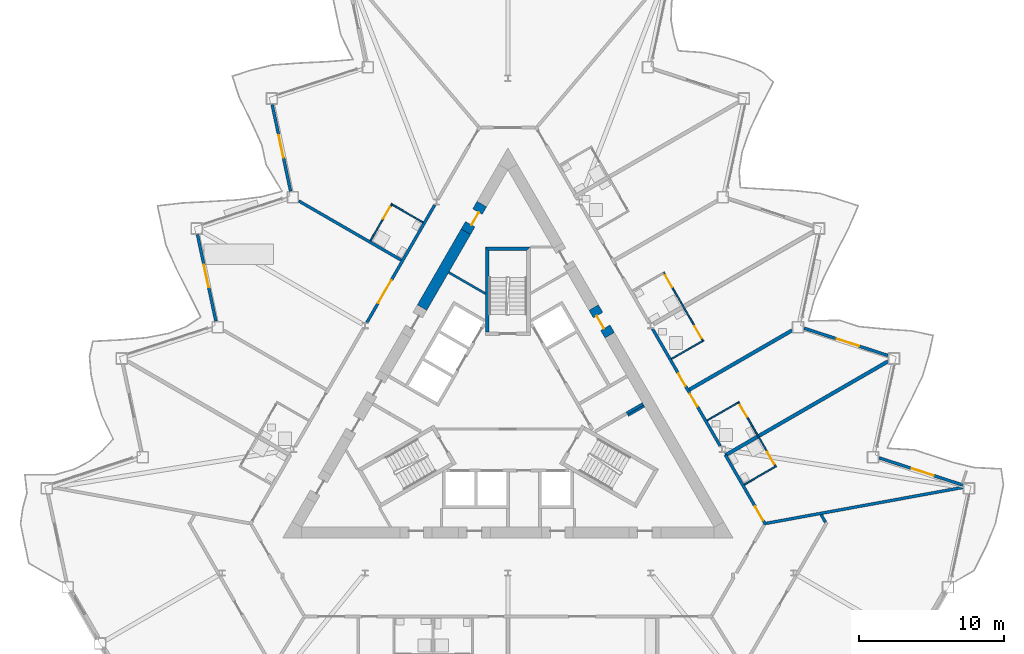
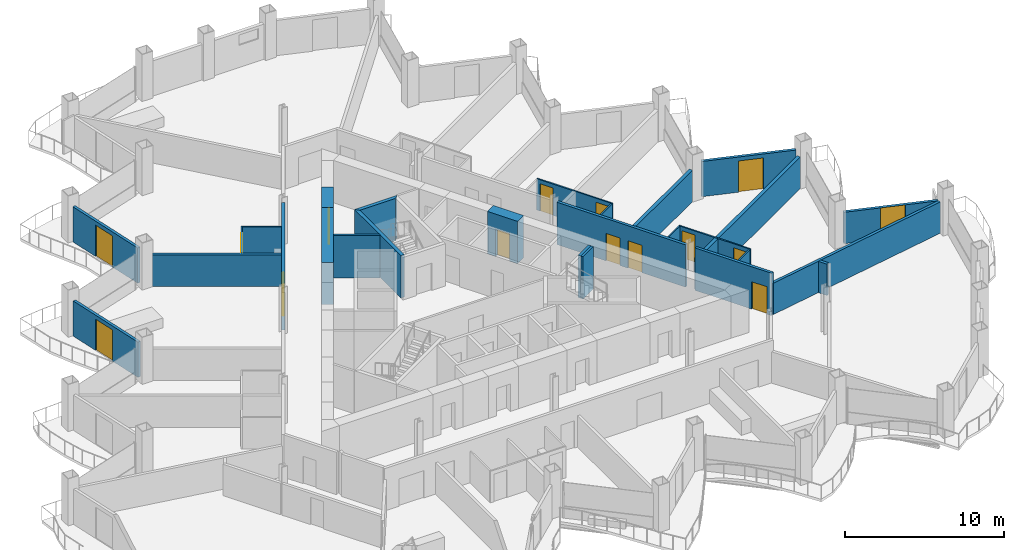
# One storey, part 14 of 24: 27 walls, 15 doors, 15 openings.
"""IFC4 building model written with IfcOpenShell, lengths in metres."""

from ifc_helpers import new_model, si_unit, direction, frame, frame_2d, origin, place, context, subcontext, project, spatial, polyline, rectangle, outline, extrude, material, layer, layer_set, type_object, element, fill, save


model = new_model("IFC4")

# Units and contexts
model_context = context("Model", 3, precision=1e-05, world=origin(), true_north=direction((0.0, 1.0)))
body_context = subcontext(model_context, "Body", "Model", "MODEL_VIEW")
ifc_project = project(units=[si_unit("LENGTHUNIT", "METRE"), si_unit("AREAUNIT", "SQUARE_METRE"), si_unit("VOLUMEUNIT", "CUBIC_METRE"), si_unit("PLANEANGLEUNIT", "RADIAN"), si_unit("MASSUNIT", "GRAM", prefix="KILO")], contexts=[model_context])

# Site, building, storey
site_placement = place(None, origin())
site = spatial("IfcSite", under=ifc_project, at=site_placement, CompositionType="ELEMENT")
building_placement = place(site_placement, origin())
building = spatial("IfcBuilding", under=site, at=building_placement, Name="Cormorant Prow Tower", CompositionType="ELEMENT")
storey_placement = place(building_placement, frame((0.0, 0.0, 201.60009765625)))
storey = spatial("IfcBuildingStorey", under=building, at=storey_placement, Name="L44", CompositionType="ELEMENT", Elevation=201.60009765625)

# Walls
ifc_material_1 = material(Name="Gypsum board partition")
ifc_layer_1 = layer(ifc_material_1, 0.14990234375)
ifc_layer_set_1 = layer_set([ifc_layer_1], Name="Gypsum board partition")
wall_type_1 = type_object("IfcWallType", Name="Core partition 150", PredefinedType="PARTITIONING", material=ifc_layer_set_1)
wall_1_placement = place(storey_placement, frame((8.268310546875, -0.509033203125, 0.0), z_axis=(0.0, 0.0, 1.0), x_axis=(0.866003189247, 0.500038474733, 0.0)))
element("IfcWall", 1, at=wall_1_placement, inside=storey, type_object=wall_type_1, Name="Service room partition", PredefinedType="PARTITIONING", context=body_context, shape_type="SweptSolid", body=[
    extrude(rectangle(XDim=1.29296875, YDim=0.14990234375, at=frame_2d((0.646484375, 0.0))), origin(), (0.0, 0.0, 1.0), 3.25),
])
wall_2_placement = place(storey_placement, frame((-4.0751953125, 9.33935546875, 0.0), z_axis=(0.0, 0.0, 1.0), x_axis=(0.865995658863, -0.500051516177, 0.0)))
element("IfcWall", 2, at=wall_2_placement, inside=storey, type_object=wall_type_1, Name="Service room partition", PredefinedType="PARTITIONING", context=body_context, shape_type="SweptSolid", body=[
    extrude(rectangle(XDim=2.932861328125, YDim=0.14990234375, at=frame_2d((1.46630859375, 0.0))), origin(), (0.0, 0.0, 1.0), 3.25),
])
ifc_material_2 = material(Name="Concrete 8000 psi", Category="concrete")
ifc_layer_2 = layer(ifc_material_2, 0.75)
ifc_layer_set_2 = layer_set([ifc_layer_2], Name="Concrete 8000 psi")
wall_type_2 = type_object("IfcWallType", Name="Core shear wall 750", PredefinedType="SHEAR", material=ifc_layer_set_2)
wall_3_placement = place(storey_placement, frame((-2.8935546875, 12.135986328125, 0.0), z_axis=(0.0, 0.0, 1.0), x_axis=(-0.500021737671, -0.866012853171, 0.0)))
element("IfcWall", 3, at=wall_3_placement, inside=storey, type_object=wall_type_2, Name="Core wall", PredefinedType="SHEAR", context=body_context, shape_type="SweptSolid", body=[
    extrude(rectangle(XDim=6.025634765625, YDim=0.75, at=frame_2d((3.0126953125, 0.0))), origin(), (0.0, 0.0, 1.0), 3.25),
])

# Wall, opening, door
wall_4_placement = place(storey_placement, frame((7.00634765625, 5.012451171875, 0.0), z_axis=(0.0, 0.0, 1.0), x_axis=(-0.499946605688, 0.86605622881, 0.0)))
wall_4 = element("IfcWall", 4, at=wall_4_placement, inside=storey, type_object=wall_type_2, Name="Core wall door panel", PredefinedType="SHEAR", context=body_context, shape_type="SweptSolid", body=[
    extrude(rectangle(XDim=2.199951171875, YDim=0.75, at=frame_2d((1.10009765625, 0.0))), origin(), (0.0, 0.0, 1.0), 3.25),
])
opening_1_placement = place(wall_4_placement, frame((0.60009765625, 0.0, 0.0)))
opening_1 = element("IfcOpeningElement", 5, at=opening_1_placement, cuts=wall_4, Name="Opening L44-C19", PredefinedType="OPENING", context=body_context, shape_type="SweptSolid", body=[
    extrude(rectangle(XDim=1.0, YDim=2.10009765625, at=frame_2d((0.5, 1.050048828125))), frame((0.0, 0.385009765625, 0.0), z_axis=(0.0, -1.0, 0.0), x_axis=(1.0, 0.0, 0.0)), (0.0, 0.0, 1.0), 0.77001953125),
])
ifc_material_3 = material(Name="Painted steel", Category="steel")
door_type_1 = type_object("IfcDoorType", Name="Service door 1000x2100", OperationType="NOTDEFINED", PredefinedType="DOOR", material=ifc_material_3)
door_1_placement = place(opening_1_placement, origin())
door_1 = element("IfcDoor", 6, at=door_1_placement, inside=storey, type_object=door_type_1, Name="Core door, Telecom room", OperationType="SINGLE_SWING_RIGHT", OverallHeight=2.10009765625, OverallWidth=1.0, PredefinedType="DOOR", context=body_context, shape_type="SweptSolid", body=[
    extrude(rectangle(XDim=1.0, YDim=2.10009765625, at=frame_2d((0.5, 1.050048828125))), frame((0.0, 0.1298828125, 0.0), z_axis=(0.0, -1.0, 0.0), x_axis=(1.0, 0.0, 0.0)), (0.0, 0.0, 1.0), 0.050048828125),
])
fill(opening_1, door_1)

wall_5_placement = place(storey_placement, frame((-1.793701171875, 14.041259765625, 0.0), z_axis=(0.0, 0.0, 1.0), x_axis=(-0.499946605688, -0.86605622881, 0.0)))
wall_5 = element("IfcWall", 7, at=wall_5_placement, inside=storey, type_object=wall_type_2, Name="Core wall door panel", PredefinedType="SHEAR", context=body_context, shape_type="SweptSolid", body=[
    extrude(rectangle(XDim=2.199951171875, YDim=0.75, at=frame_2d((1.10009765625, 0.0))), origin(), (0.0, 0.0, 1.0), 3.25),
])
opening_2_placement = place(wall_5_placement, frame((0.60009765625, 0.0, 0.0)))
opening_2 = element("IfcOpeningElement", 8, at=opening_2_placement, cuts=wall_5, Name="Opening L44-C20", PredefinedType="OPENING", context=body_context, shape_type="SweptSolid", body=[
    extrude(rectangle(XDim=1.0, YDim=2.10009765625, at=frame_2d((0.5, 1.050048828125))), frame((0.0, 0.385009765625, 0.0), z_axis=(0.0, -1.0, 0.0), x_axis=(1.0, 0.0, 0.0)), (0.0, 0.0, 1.0), 0.77001953125),
])
door_2_placement = place(opening_2_placement, origin())
door_2 = element("IfcDoor", 9, at=door_2_placement, inside=storey, type_object=door_type_1, Name="Core door, Mechanical riser room", OperationType="SINGLE_SWING_LEFT", OverallHeight=2.10009765625, OverallWidth=1.0, PredefinedType="DOOR", context=body_context, shape_type="SweptSolid", body=[
    extrude(rectangle(XDim=1.0, YDim=2.10009765625, at=frame_2d((0.5, 1.050048828125))), frame((0.0, 0.1298828125, 0.0), z_axis=(0.0, -1.0, 0.0), x_axis=(1.0, 0.0, 0.0)), (0.0, 0.0, 1.0), 0.050048828125),
])
fill(opening_2, door_2)

ifc_material_4 = material(Name="Gypsum board corridor wall")
ifc_layer_3 = layer(ifc_material_4, 0.199951171875)
ifc_layer_set_3 = layer_set([ifc_layer_3], Name="Gypsum board corridor wall")
wall_type_3 = type_object("IfcWallType", Name="Corridor wall 200", PredefinedType="PARTITIONING", material=ifc_layer_set_3)
wall_6_placement = place(storey_placement, frame((-9.705078125, 5.88818359375, 0.0), z_axis=(0.0, 0.0, 1.0), x_axis=(0.50000393355, 0.866023132736, 0.0)))
wall_6 = element("IfcWall", 10, at=wall_6_placement, inside=storey, type_object=wall_type_3, Name="Corridor wall", PredefinedType="PARTITIONING", context=body_context, shape_type="SweptSolid", body=[
    extrude(rectangle(XDim=9.3349609375, YDim=0.199951171875, at=frame_2d((4.66748046875, 0.0))), origin(), (0.0, 0.0, 1.0), 3.25),
])
opening_3_placement = place(wall_6_placement, frame((1.556396484375, 0.0, 0.0)))
opening_3 = element("IfcOpeningElement", 11, at=opening_3_placement, cuts=wall_6, Name="Opening L44-F25", PredefinedType="OPENING", context=body_context, shape_type="SweptSolid", body=[
    extrude(rectangle(XDim=1.800048828125, YDim=2.10009765625, at=frame_2d((0.89990234375, 1.050048828125))), frame((0.0, 0.10986328125, 0.0), z_axis=(0.0, -1.0, 0.0), x_axis=(1.0, 0.0, 0.0)), (0.0, 0.0, 1.0), 0.219970703125),
])
ifc_material_5 = material(Name="Timber door leaf", Category="wood")
door_type_2 = type_object("IfcDoorType", Name="Double door 1800x2100", OperationType="DOUBLE_DOOR_SINGLE_SWING", PredefinedType="DOOR", material=ifc_material_5)
door_3_placement = place(opening_3_placement, origin())
door_3 = element("IfcDoor", 12, at=door_3_placement, inside=storey, type_object=door_type_2, Name="Library door", OperationType="DOUBLE_DOOR_SINGLE_SWING", OverallHeight=2.10009765625, OverallWidth=1.800048828125, PredefinedType="DOOR", context=body_context, shape_type="SweptSolid", body=[
    extrude(rectangle(XDim=1.800048828125, YDim=2.10009765625, at=frame_2d((0.89990234375, 1.050048828125))), frame((0.0, 0.02490234375, 0.0), z_axis=(0.0, -1.0, 0.0), x_axis=(1.0, 0.0, 0.0)), (0.0, 0.0, 1.0), 0.050048828125),
])
fill(opening_3, door_3)

# Wall, openings, doors
wall_7_placement = place(storey_placement, frame((9.951904296875, 5.460693359375, 0.0), z_axis=(0.0, 0.0, 1.0), x_axis=(0.50000393355, -0.866023132736, 0.0)))
wall_7 = element("IfcWall", 13, at=wall_7_placement, inside=storey, type_object=wall_type_3, Name="Corridor wall", PredefinedType="PARTITIONING", context=body_context, shape_type="SweptSolid", body=[
    extrude(rectangle(XDim=9.3349609375, YDim=0.199951171875, at=frame_2d((4.66748046875, 0.0))), origin(), (0.0, 0.0, 1.0), 3.25),
])
opening_4_placement = place(wall_7_placement, frame((5.171875, 0.0, 0.0)))
opening_4 = element("IfcOpeningElement", 14, at=opening_4_placement, cuts=wall_7, Name="Opening L44-F12", PredefinedType="OPENING", context=body_context, shape_type="SweptSolid", body=[
    extrude(rectangle(XDim=1.0, YDim=2.10009765625, at=frame_2d((0.5, 1.050048828125))), frame((0.0, 0.10986328125, 0.0), z_axis=(0.0, -1.0, 0.0), x_axis=(1.0, 0.0, 0.0)), (0.0, 0.0, 1.0), 0.219970703125),
])
opening_5_placement = place(wall_7_placement, frame((3.564697265625, 0.0, 0.0)))
opening_5 = element("IfcOpeningElement", 15, at=opening_5_placement, cuts=wall_7, Name="Opening L44-F14", PredefinedType="OPENING", context=body_context, shape_type="SweptSolid", body=[
    extrude(rectangle(XDim=1.0, YDim=2.10009765625, at=frame_2d((0.5, 1.050048828125))), frame((0.0, 0.10986328125, 0.0), z_axis=(0.0, -1.0, 0.0), x_axis=(1.0, 0.0, 0.0)), (0.0, 0.0, 1.0), 0.219970703125),
])
ifc_material_6 = material(Name="Timber door leaf", Category="wood")
door_type_3 = type_object("IfcDoorType", Name="Flat or room entrance door 1000x2100", OperationType="NOTDEFINED", PredefinedType="DOOR", material=ifc_material_6)
door_4_placement = place(opening_4_placement, origin())
door_4 = element("IfcDoor", 16, at=door_4_placement, inside=storey, type_object=door_type_3, Name="Guest room door", OperationType="SINGLE_SWING_LEFT", OverallHeight=2.10009765625, OverallWidth=1.0, PredefinedType="DOOR", context=body_context, shape_type="SweptSolid", body=[
    extrude(rectangle(XDim=1.0, YDim=2.10009765625, at=frame_2d((0.5, 1.050048828125))), frame((0.0, 0.02490234375, 0.0), z_axis=(0.0, -1.0, 0.0), x_axis=(1.0, 0.0, 0.0)), (0.0, 0.0, 1.0), 0.050048828125),
])
fill(opening_4, door_4)
door_5_placement = place(opening_5_placement, origin())
door_5 = element("IfcDoor", 17, at=door_5_placement, inside=storey, type_object=door_type_3, Name="Guest room door", OperationType="SINGLE_SWING_RIGHT", OverallHeight=2.10009765625, OverallWidth=1.0, PredefinedType="DOOR", context=body_context, shape_type="SweptSolid", body=[
    extrude(rectangle(XDim=1.0, YDim=2.10009765625, at=frame_2d((0.5, 1.050048828125))), frame((0.0, 0.02490234375, 0.0), z_axis=(0.0, -1.0, 0.0), x_axis=(1.0, 0.0, 0.0)), (0.0, 0.0, 1.0), 0.050048828125),
])
fill(opening_5, door_5)

# Wall, opening, door
wall_8_placement = place(storey_placement, frame((14.971435546875, -3.2333984375, 0.0), z_axis=(0.0, 0.0, 1.0), x_axis=(0.500003221507, -0.866023543838, 0.0)))
wall_8 = element("IfcWall", 18, at=wall_8_placement, inside=storey, type_object=wall_type_3, Name="Corridor wall", PredefinedType="PARTITIONING", context=body_context, shape_type="SweptSolid", body=[
    extrude(rectangle(XDim=5.544921875, YDim=0.199951171875, at=frame_2d((2.7724609375, 0.0))), origin(), (0.0, 0.0, 1.0), 3.25),
])
opening_6_placement = place(wall_8_placement, frame((4.09375, 0.0, 0.0)))
opening_6 = element("IfcOpeningElement", 19, at=opening_6_placement, cuts=wall_8, Name="Opening L44-F10", PredefinedType="OPENING", context=body_context, shape_type="SweptSolid", body=[
    extrude(rectangle(XDim=1.10009765625, YDim=2.10009765625, at=frame_2d((0.550048828125, 1.050048828125))), frame((0.0, 0.10986328125, 0.0), z_axis=(0.0, -1.0, 0.0), x_axis=(1.0, 0.0, 0.0)), (0.0, 0.0, 1.0), 0.219970703125),
])
ifc_material_7 = material(Name="Timber door leaf", Category="wood")
door_type_4 = type_object("IfcDoorType", Name="Suite entrance door 1100x2100", OperationType="NOTDEFINED", PredefinedType="DOOR", material=ifc_material_7)
door_6_placement = place(opening_6_placement, origin())
door_6 = element("IfcDoor", 20, at=door_6_placement, inside=storey, type_object=door_type_4, Name="Junior suite door", OperationType="SINGLE_SWING_RIGHT", OverallHeight=2.10009765625, OverallWidth=1.10009765625, PredefinedType="DOOR", context=body_context, shape_type="SweptSolid", body=[
    extrude(rectangle(XDim=1.10009765625, YDim=2.10009765625, at=frame_2d((0.550048828125, 1.050048828125))), frame((0.0, 0.02490234375, 0.0), z_axis=(0.0, -1.0, 0.0), x_axis=(1.0, 0.0, 0.0)), (0.0, 0.0, 1.0), 0.050048828125),
])
fill(opening_6, door_6)

# Walls
ifc_material_8 = material(Name="Gypsum board demising wall")
ifc_layer_4 = layer(ifc_material_8, 0.199951171875)
ifc_layer_set_4 = layer_set([ifc_layer_4], Name="Gypsum board demising wall")
wall_type_4 = type_object("IfcWallType", Name="Demising wall 200", PredefinedType="PARTITIONING", material=ifc_layer_set_4)
wall_9_placement = place(storey_placement, frame((17.792236328125, -7.930908203125, 0.0), z_axis=(0.0, 0.0, 1.0), x_axis=(0.983720538919, 0.179705039744, 0.0)))
element("IfcWall", 21, at=wall_9_placement, inside=storey, type_object=wall_type_4, Name="Demising wall", PredefinedType="PARTITIONING", context=body_context, shape_type="SweptSolid", body=[
    extrude(rectangle(XDim=13.760986328125, YDim=0.199951171875, at=frame_2d((6.88037109375, 0.0))), origin(), (0.0, 0.0, 1.0), 2.404052734375),
])
wall_10_placement = place(storey_placement, frame((-14.389892578125, 14.25244140625, 0.0), z_axis=(0.0, 0.0, 1.0), x_axis=(0.866028741424, -0.499994218994, 0.0)))
element("IfcWall", 22, at=wall_10_placement, inside=storey, type_object=wall_type_4, Name="Demising wall", PredefinedType="PARTITIONING", context=body_context, shape_type="SweptSolid", body=[
    extrude(rectangle(XDim=8.13916015625, YDim=0.199951171875, at=frame_2d((4.069580078125, 0.0))), origin(), (0.0, 0.0, 1.0), 2.404052734375),
])
wall_11_placement = place(storey_placement, frame((21.556396484375, -7.339111328125, 0.0), z_axis=(0.0, 0.0, 1.0), x_axis=(0.50022374246, -0.865896187473, 0.0)))
element("IfcWall", 23, at=wall_11_placement, inside=storey, type_object=wall_type_4, Name="Demising wall", PredefinedType="PARTITIONING", context=body_context, shape_type="SweptSolid", body=[
    extrude(rectangle(XDim=0.604248046875, YDim=0.199951171875, at=frame_2d((0.30224609375, 0.0))), origin(), (0.0, 0.0, 1.0), 2.404052734375),
])

# Wall, openings, doors
ifc_material_9 = material(Name="Gypsum board partition")
ifc_layer_5 = layer(ifc_material_9, 0.10009765625)
ifc_layer_set_5 = layer_set([ifc_layer_5], Name="Gypsum board partition")
wall_type_5 = type_object("IfcWallType", Name="Internal partition 100", PredefinedType="PARTITIONING", material=ifc_layer_set_5)
wall_12_placement = place(storey_placement, frame((10.705078125, 9.35595703125, 0.0), z_axis=(0.0, 0.0, 1.0), x_axis=(0.500015767406, -0.866016300277, 0.0)))
wall_12 = element("IfcWall", 24, at=wall_12_placement, inside=storey, type_object=wall_type_5, Name="Internal partition", PredefinedType="PARTITIONING", context=body_context, shape_type="SweptSolid", body=[
    extrude(rectangle(XDim=5.499755859375, YDim=0.10009765625, at=frame_2d((2.75, 0.0))), origin(), (0.0, 0.0, 1.0), 2.404052734375),
])
opening_7_placement = place(wall_12_placement, frame((4.300048828125, 0.0, 0.0)))
opening_7 = element("IfcOpeningElement", 25, at=opening_7_placement, cuts=wall_12, Name="Opening L44-F15", PredefinedType="OPENING", context=body_context, shape_type="SweptSolid", body=[
    extrude(rectangle(XDim=0.949951171875, YDim=2.10009765625, at=frame_2d((0.47509765625, 1.050048828125))), frame((0.0, 0.06005859375, 0.0), z_axis=(0.0, -1.0, 0.0), x_axis=(1.0, 0.0, 0.0)), (0.0, 0.0, 1.0), 0.1201171875),
])
opening_8_placement = place(wall_12_placement, frame((0.25, 0.0, 0.0)))
opening_8 = element("IfcOpeningElement", 26, at=opening_8_placement, cuts=wall_12, Name="Opening L44-F17", PredefinedType="OPENING", context=body_context, shape_type="SweptSolid", body=[
    extrude(rectangle(XDim=0.949951171875, YDim=2.10009765625, at=frame_2d((0.47509765625, 1.050048828125))), frame((0.0, 0.06005859375, 0.0), z_axis=(0.0, -1.0, 0.0), x_axis=(1.0, 0.0, 0.0)), (0.0, 0.0, 1.0), 0.1201171875),
])
ifc_material_10 = material(Name="Timber door leaf", Category="wood")
door_type_5 = type_object("IfcDoorType", Name="Bathroom door 950x2100", OperationType="NOTDEFINED", PredefinedType="DOOR", material=ifc_material_10)
door_7_placement = place(opening_7_placement, origin())
door_7 = element("IfcDoor", 27, at=door_7_placement, inside=storey, type_object=door_type_5, Name="Guest room door", OperationType="SINGLE_SWING_RIGHT", OverallHeight=2.10009765625, OverallWidth=0.949951171875, PredefinedType="DOOR", context=body_context, shape_type="SweptSolid", body=[
    extrude(rectangle(XDim=0.949951171875, YDim=2.10009765625, at=frame_2d((0.47509765625, 1.050048828125))), frame((0.0, 0.02490234375, 0.0), z_axis=(0.0, -1.0, 0.0), x_axis=(1.0, 0.0, 0.0)), (0.0, 0.0, 1.0), 0.050048828125),
])
fill(opening_7, door_7)
door_8_placement = place(opening_8_placement, origin())
door_8 = element("IfcDoor", 28, at=door_8_placement, inside=storey, type_object=door_type_5, Name="Guest room door", OperationType="SINGLE_SWING_LEFT", OverallHeight=2.10009765625, OverallWidth=0.949951171875, PredefinedType="DOOR", context=body_context, shape_type="SweptSolid", body=[
    extrude(rectangle(XDim=0.949951171875, YDim=2.10009765625, at=frame_2d((0.47509765625, 1.050048828125))), frame((0.0, 0.02490234375, 0.0), z_axis=(0.0, -1.0, 0.0), x_axis=(1.0, 0.0, 0.0)), (0.0, 0.0, 1.0), 0.050048828125),
])
fill(opening_8, door_8)

wall_13_placement = place(storey_placement, frame((15.853271484375, 0.439453125, 0.0), z_axis=(0.0, 0.0, 1.0), x_axis=(0.499971721724, -0.866041729639, 0.0)))
wall_13 = element("IfcWall", 29, at=wall_13_placement, inside=storey, type_object=wall_type_5, Name="Internal partition", PredefinedType="PARTITIONING", context=body_context, shape_type="SweptSolid", body=[
    extrude(rectangle(XDim=5.199951171875, YDim=0.10009765625, at=frame_2d((2.60009765625, 0.0))), origin(), (0.0, 0.0, 1.0), 2.404052734375),
])
opening_9_placement = place(wall_13_placement, frame((4.0, 0.0, 0.0)))
opening_9 = element("IfcOpeningElement", 30, at=opening_9_placement, cuts=wall_13, Name="Opening L44-F11", PredefinedType="OPENING", context=body_context, shape_type="SweptSolid", body=[
    extrude(rectangle(XDim=0.949951171875, YDim=2.10009765625, at=frame_2d((0.47509765625, 1.050048828125))), frame((0.0, 0.06005859375, 0.0), z_axis=(0.0, -1.0, 0.0), x_axis=(1.0, 0.0, 0.0)), (0.0, 0.0, 1.0), 0.1201171875),
])
opening_10_placement = place(wall_13_placement, frame((0.25, 0.0, 0.0)))
opening_10 = element("IfcOpeningElement", 31, at=opening_10_placement, cuts=wall_13, Name="Opening L44-F13", PredefinedType="OPENING", context=body_context, shape_type="SweptSolid", body=[
    extrude(rectangle(XDim=0.949951171875, YDim=2.10009765625, at=frame_2d((0.47509765625, 1.050048828125))), frame((0.0, 0.06005859375, 0.0), z_axis=(0.0, -1.0, 0.0), x_axis=(1.0, 0.0, 0.0)), (0.0, 0.0, 1.0), 0.1201171875),
])
door_9_placement = place(opening_9_placement, origin())
door_9 = element("IfcDoor", 32, at=door_9_placement, inside=storey, type_object=door_type_5, Name="Junior suite door", OperationType="SINGLE_SWING_RIGHT", OverallHeight=2.10009765625, OverallWidth=0.949951171875, PredefinedType="DOOR", context=body_context, shape_type="SweptSolid", body=[
    extrude(rectangle(XDim=0.949951171875, YDim=2.10009765625, at=frame_2d((0.47509765625, 1.050048828125))), frame((0.0, 0.02490234375, 0.0), z_axis=(0.0, -1.0, 0.0), x_axis=(1.0, 0.0, 0.0)), (0.0, 0.0, 1.0), 0.050048828125),
])
fill(opening_9, door_9)
door_10_placement = place(opening_10_placement, origin())
door_10 = element("IfcDoor", 33, at=door_10_placement, inside=storey, type_object=door_type_5, Name="Guest room door", OperationType="SINGLE_SWING_LEFT", OverallHeight=2.10009765625, OverallWidth=0.949951171875, PredefinedType="DOOR", context=body_context, shape_type="SweptSolid", body=[
    extrude(rectangle(XDim=0.949951171875, YDim=2.10009765625, at=frame_2d((0.47509765625, 1.050048828125))), frame((0.0, 0.02490234375, 0.0), z_axis=(0.0, -1.0, 0.0), x_axis=(1.0, 0.0, 0.0)), (0.0, 0.0, 1.0), 0.050048828125),
])
fill(opening_10, door_10)

# Wall, opening, door
wall_14_placement = place(storey_placement, frame((-9.4560546875, 11.519287109375, 0.0), z_axis=(0.0, 0.0, 1.0), x_axis=(0.499939757307, 0.866060182126, 0.0)))
wall_14 = element("IfcWall", 34, at=wall_14_placement, inside=storey, type_object=wall_type_5, Name="Internal partition", PredefinedType="PARTITIONING", context=body_context, shape_type="SweptSolid", body=[
    extrude(rectangle(XDim=2.949951171875, YDim=0.10009765625, at=frame_2d((1.47509765625, 0.0))), origin(), (0.0, 0.0, 1.0), 2.404052734375),
])
opening_11_placement = place(wall_14_placement, frame((1.75, 0.0, 0.0)))
opening_11 = element("IfcOpeningElement", 35, at=opening_11_placement, cuts=wall_14, Name="Opening L44-F24", PredefinedType="OPENING", context=body_context, shape_type="SweptSolid", body=[
    extrude(rectangle(XDim=0.949951171875, YDim=2.10009765625, at=frame_2d((0.47509765625, 1.050048828125))), frame((0.0, 0.06005859375, 0.0), z_axis=(0.0, -1.0, 0.0), x_axis=(1.0, 0.0, 0.0)), (0.0, 0.0, 1.0), 0.1201171875),
])
door_11_placement = place(opening_11_placement, origin())
door_11 = element("IfcDoor", 36, at=door_11_placement, inside=storey, type_object=door_type_5, Name="Executive suite bedroom door", OperationType="SINGLE_SWING_RIGHT", OverallHeight=2.10009765625, OverallWidth=0.949951171875, PredefinedType="DOOR", context=body_context, shape_type="SweptSolid", body=[
    extrude(rectangle(XDim=0.949951171875, YDim=2.10009765625, at=frame_2d((0.47509765625, 1.050048828125))), frame((0.0, 0.02490234375, 0.0), z_axis=(0.0, -1.0, 0.0), x_axis=(1.0, 0.0, 0.0)), (0.0, 0.0, 1.0), 0.050048828125),
])
fill(opening_11, door_11)

# Walls
wall_15_placement = place(storey_placement, frame((-7.962890625, 14.005859375, 0.0), z_axis=(0.0, 0.0, 1.0), x_axis=(0.866057815567, -0.499943856944, 0.0)))
element("IfcWall", 37, at=wall_15_placement, inside=storey, type_object=wall_type_5, Name="Internal partition", PredefinedType="PARTITIONING", context=body_context, shape_type="SweptSolid", body=[
    extrude(rectangle(XDim=2.449951171875, YDim=0.10009765625, at=frame_2d((1.22509765625, 0.0))), origin(), (0.0, 0.0, 1.0), 2.404052734375),
])
wall_16_placement = place(storey_placement, frame((13.713134765625, -0.85400390625, 0.0), z_axis=(0.0, 0.0, 1.0), x_axis=(0.866014668023, 0.500018594424, 0.0)))
element("IfcWall", 38, at=wall_16_placement, inside=storey, type_object=wall_type_5, Name="Internal partition", PredefinedType="PARTITIONING", context=body_context, shape_type="SweptSolid", body=[
    extrude(rectangle(XDim=2.4501953125, YDim=0.10009765625, at=frame_2d((1.22509765625, 0.0))), origin(), (0.0, 0.0, 1.0), 2.404052734375),
])
wall_17_placement = place(storey_placement, frame((16.26318359375, -5.2705078125, 0.0), z_axis=(0.0, 0.0, 1.0), x_axis=(0.866057815567, 0.499943856944, 0.0)))
element("IfcWall", 39, at=wall_17_placement, inside=storey, type_object=wall_type_5, Name="Internal partition", PredefinedType="PARTITIONING", context=body_context, shape_type="SweptSolid", body=[
    extrude(rectangle(XDim=2.449951171875, YDim=0.10009765625, at=frame_2d((1.22509765625, 0.0))), origin(), (0.0, 0.0, 1.0), 2.404052734375),
])
wall_18_placement = place(storey_placement, frame((11.26513671875, 3.38623046875, 0.0), z_axis=(0.0, 0.0, 1.0), x_axis=(0.866032905446, 0.499987006516, 0.0)))
element("IfcWall", 40, at=wall_18_placement, inside=storey, type_object=wall_type_5, Name="Internal partition", PredefinedType="PARTITIONING", context=body_context, shape_type="SweptSolid", body=[
    extrude(rectangle(XDim=2.44970703125, YDim=0.10009765625, at=frame_2d((1.224853515625, 0.0))), origin(), (0.0, 0.0, 1.0), 2.404052734375),
])
ifc_material_11 = material(Name="Concrete 8000 psi", Category="concrete")
ifc_layer_6 = layer(ifc_material_11, 0.199951171875)
ifc_layer_set_6 = layer_set([ifc_layer_6], Name="Concrete 8000 psi")
wall_type_6 = type_object("IfcWallType", Name="Lift shaft wall 200", PredefinedType="SHEAR", material=ifc_layer_set_6)
wall_19_placement = place(storey_placement, frame((8.180908203125, -0.357421875, 0.0), z_axis=(0.0, 0.0, 1.0), x_axis=(0.866003189247, 0.500038474733, 0.0)))
element("IfcWall", 41, at=wall_19_placement, inside=storey, type_object=wall_type_6, Name="Store side wall", PredefinedType="SHEAR", context=body_context, shape_type="SweptSolid", body=[
    extrude(rectangle(XDim=1.29296875, YDim=0.199951171875, at=frame_2d((0.646484375, 0.0))), origin(), (0.0, 0.0, 1.0), 3.25),
])
ifc_material_12 = material(Name="Concrete 8000 psi", Category="concrete")
ifc_layer_7 = layer(ifc_material_12, 0.25)
ifc_layer_set_7 = layer_set([ifc_layer_7], Name="Concrete 8000 psi")
wall_type_7 = type_object("IfcWallType", Name="Stair wall 250", PredefinedType="SHEAR", material=ifc_layer_set_7)
wall_20_placement = place(storey_placement, origin())
element("IfcWall", 42, at=wall_20_placement, inside=storey, type_object=wall_type_7, Name="Stair ST3 enclosure wall (end)", PredefinedType="SHEAR", context=body_context, shape_type="SweptSolid", body=[
    extrude(outline(polyline([(1.5439453125, 11.0869140625), (-1.5439453125, 11.0869140625), (-1.2939453125, 10.8369140625), (1.2939453125, 10.8369140625), (1.5439453125, 11.0869140625)])), origin(), (0.0, 0.0, 1.0), 3.25),
])
wall_21_placement = place(storey_placement, origin())
element("IfcWall", 43, at=wall_21_placement, inside=storey, type_object=wall_type_7, Name="Stair ST3 enclosure wall (flank)", PredefinedType="SHEAR", context=body_context, shape_type="SweptSolid", body=[
    extrude(outline(polyline([(-1.2939453125, 10.8369140625), (-1.5439453125, 11.0869140625), (-1.5439453125, 5.23681640625), (-1.2939453125, 5.23681640625), (-1.2939453125, 10.8369140625)])), origin(), (0.0, 0.0, 1.0), 3.25),
])
ifc_material_13 = material(Name="Acoustic gypsum party wall")
ifc_layer_8 = layer(ifc_material_13, 0.25)
ifc_layer_set_8 = layer_set([ifc_layer_8], Name="Acoustic gypsum party wall")
wall_type_8 = type_object("IfcWallType", Name="Suite party wall 250", PredefinedType="PARTITIONING", material=ifc_layer_set_8)
wall_22_placement = place(storey_placement, frame((14.9765625, -3.2421875, 0.0), z_axis=(0.0, 0.0, 1.0), x_axis=(0.866026026416, 0.499998921569, 0.0)))
element("IfcWall", 44, at=wall_22_placement, inside=storey, type_object=wall_type_8, Name="Suite party wall", PredefinedType="PARTITIONING", context=body_context, shape_type="SweptSolid", body=[
    extrude(rectangle(XDim=12.91845703125, YDim=0.25, at=frame_2d((6.459228515625, 0.0))), origin(), (0.0, 0.0, 1.0), 2.404052734375),
])
wall_23_placement = place(storey_placement, frame((12.489013671875, 1.26611328125, 0.0), z_axis=(0.0, 0.0, 1.0), x_axis=(0.866026623601, 0.49999788721, 0.0)))
element("IfcWall", 45, at=wall_23_placement, inside=storey, type_object=wall_type_8, Name="Suite party wall", PredefinedType="PARTITIONING", context=body_context, shape_type="SweptSolid", body=[
    extrude(rectangle(XDim=8.15869140625, YDim=0.25, at=frame_2d((4.079345703125, 0.0))), origin(), (0.0, 0.0, 1.0), 2.404052734375),
])

# Wall, opening, door
ifc_material_14 = material(Name="Terracotta", Category="masonry")
ifc_layer_9 = layer(ifc_material_14, 0.199951171875)
ifc_layer_set_9 = layer_set([ifc_layer_9], Name="Terracotta")
wall_type_9 = type_object("IfcWallType", Name="Terracotta jamb wall 200", PredefinedType="SOLIDWALL", material=ifc_layer_set_9)
wall_24_placement = place(storey_placement, frame((31.30224609375, -5.295166015625, 0.0), z_axis=(0.0, 0.0, 1.0), x_axis=(-0.951059297078, 0.309008435874, 0.0)))
wall_24 = element("IfcWall", 46, at=wall_24_placement, inside=storey, type_object=wall_type_9, Name="Terracotta jamb wall ENE01", PredefinedType="SOLIDWALL", context=body_context, shape_type="SweptSolid", body=[
    extrude(rectangle(XDim=6.044189453125, YDim=0.199951171875, at=frame_2d((3.02197265625, 0.0))), origin(), (0.0, 0.0, 1.0), 2.404052734375),
])
opening_12_placement = place(wall_24_placement, frame((2.095703125, 0.0, 0.0)))
opening_12 = element("IfcOpeningElement", 47, at=opening_12_placement, cuts=wall_24, Name="Opening ED44.06", PredefinedType="OPENING", context=body_context, shape_type="SweptSolid", body=[
    extrude(rectangle(XDim=1.60009765625, YDim=2.39990234375, at=frame_2d((0.800048828125, 1.199951171875))), frame((0.0, 0.10986328125, 0.0), z_axis=(0.0, -1.0, 0.0), x_axis=(1.0, 0.0, 0.0)), (0.0, 0.0, 1.0), 0.219970703125),
])
ifc_material_15 = material(Name="Aluminium 6063-T6", Category="aluminium")
door_type_6 = type_object("IfcDoorType", Name="Balcony door 1600x2400", OperationType="DOUBLE_DOOR_SINGLE_SWING", PredefinedType="DOOR", material=ifc_material_15)
door_12_placement = place(opening_12_placement, origin())
door_12 = element("IfcDoor", 48, at=door_12_placement, inside=storey, type_object=door_type_6, Name="Balcony door ENE01 ED44.06", OperationType="DOUBLE_DOOR_SINGLE_SWING", OverallHeight=2.39990234375, OverallWidth=1.60009765625, PredefinedType="DOOR", context=body_context, shape_type="SweptSolid", body=[
    extrude(rectangle(XDim=1.60009765625, YDim=2.39990234375, at=frame_2d((0.800048828125, 1.199951171875))), frame((0.0, 0.02490234375, 0.0), z_axis=(0.0, -1.0, 0.0), x_axis=(1.0, 0.0, 0.0)), (0.0, 0.0, 1.0), 0.050048828125),
])
fill(opening_12, door_12)

wall_25_placement = place(storey_placement, frame((26.154296875, 3.621337890625, 0.0), z_axis=(0.0, 0.0, 1.0), x_axis=(-0.95104857086, 0.309041446839, 0.0)))
wall_25 = element("IfcWall", 49, at=wall_25_placement, inside=storey, type_object=wall_type_9, Name="Terracotta jamb wall ENE03", PredefinedType="SOLIDWALL", context=body_context, shape_type="SweptSolid", body=[
    extrude(rectangle(XDim=6.0615234375, YDim=0.199951171875, at=frame_2d((3.03076171875, 0.0))), origin(), (0.0, 0.0, 1.0), 2.70068359375),
])
opening_13_placement = place(wall_25_placement, frame((2.095703125, 0.0, 0.0)))
opening_13 = element("IfcOpeningElement", 50, at=opening_13_placement, cuts=wall_25, Name="Opening ED44.07", PredefinedType="OPENING", context=body_context, shape_type="SweptSolid", body=[
    extrude(rectangle(XDim=1.60009765625, YDim=2.39990234375, at=frame_2d((0.800048828125, 1.199951171875))), frame((0.0, 0.10986328125, 0.0), z_axis=(0.0, -1.0, 0.0), x_axis=(1.0, 0.0, 0.0)), (0.0, 0.0, 1.0), 0.219970703125),
])
door_13_placement = place(opening_13_placement, origin())
door_13 = element("IfcDoor", 51, at=door_13_placement, inside=storey, type_object=door_type_6, Name="Balcony door ENE03 ED44.07", OperationType="DOUBLE_DOOR_SINGLE_SWING", OverallHeight=2.39990234375, OverallWidth=1.60009765625, PredefinedType="DOOR", context=body_context, shape_type="SweptSolid", body=[
    extrude(rectangle(XDim=1.60009765625, YDim=2.39990234375, at=frame_2d((0.800048828125, 1.199951171875))), frame((0.0, 0.02490234375, 0.0), z_axis=(0.0, -1.0, 0.0), x_axis=(1.0, 0.0, 0.0)), (0.0, 0.0, 1.0), 0.050048828125),
])
fill(opening_13, door_13)

wall_26_placement = place(storey_placement, frame((-16.22412109375, 20.8896484375, 0.0), z_axis=(0.0, 0.0, 1.0), x_axis=(0.207912864597, -0.978147351238, 0.0)))
wall_26 = element("IfcWall", 52, at=wall_26_placement, inside=storey, type_object=wall_type_9, Name="Terracotta jamb wall WNW03", PredefinedType="SOLIDWALL", context=body_context, shape_type="SweptSolid", body=[
    extrude(rectangle(XDim=6.097900390625, YDim=0.199951171875, at=frame_2d((3.048828125, 0.0))), origin(), (0.0, 0.0, 1.0), 2.70068359375),
])
opening_14_placement = place(wall_26_placement, frame((2.14697265625, 0.0, 0.0)))
opening_14 = element("IfcOpeningElement", 53, at=opening_14_placement, cuts=wall_26, Name="Opening ED44.12", PredefinedType="OPENING", context=body_context, shape_type="SweptSolid", body=[
    extrude(rectangle(XDim=1.60009765625, YDim=2.39990234375, at=frame_2d((0.800048828125, 1.199951171875))), frame((0.0, 0.10986328125, 0.0), z_axis=(0.0, -1.0, 0.0), x_axis=(1.0, 0.0, 0.0)), (0.0, 0.0, 1.0), 0.219970703125),
])
door_14_placement = place(opening_14_placement, origin())
door_14 = element("IfcDoor", 54, at=door_14_placement, inside=storey, type_object=door_type_6, Name="Balcony door WNW03 ED44.12", OperationType="DOUBLE_DOOR_SINGLE_SWING", OverallHeight=2.39990234375, OverallWidth=1.60009765625, PredefinedType="DOOR", context=body_context, shape_type="SweptSolid", body=[
    extrude(rectangle(XDim=1.60009765625, YDim=2.39990234375, at=frame_2d((0.800048828125, 1.199951171875))), frame((0.0, 0.02490234375, 0.0), z_axis=(0.0, -1.0, 0.0), x_axis=(1.0, 0.0, 0.0)), (0.0, 0.0, 1.0), 0.050048828125),
])
fill(opening_14, door_14)

wall_27_placement = place(storey_placement, frame((-21.365966796875, 11.944091796875, 0.0), z_axis=(0.0, 0.0, 1.0), x_axis=(0.207912864597, -0.978147351238, 0.0)))
wall_27 = element("IfcWall", 55, at=wall_27_placement, inside=storey, type_object=wall_type_9, Name="Terracotta jamb wall WNW05", PredefinedType="SOLIDWALL", context=body_context, shape_type="SweptSolid", body=[
    extrude(rectangle(XDim=6.097900390625, YDim=0.199951171875, at=frame_2d((3.048828125, 0.0))), origin(), (0.0, 0.0, 1.0), 2.70068359375),
])
opening_15_placement = place(wall_27_placement, frame((2.117431640625, 0.0, 0.0)))
opening_15 = element("IfcOpeningElement", 56, at=opening_15_placement, cuts=wall_27, Name="Opening ED44.13", PredefinedType="OPENING", context=body_context, shape_type="SweptSolid", body=[
    extrude(rectangle(XDim=1.60009765625, YDim=2.39990234375, at=frame_2d((0.800048828125, 1.199951171875))), frame((0.0, 0.10986328125, 0.0), z_axis=(0.0, -1.0, 0.0), x_axis=(1.0, 0.0, 0.0)), (0.0, 0.0, 1.0), 0.219970703125),
])
door_15_placement = place(opening_15_placement, origin())
door_15 = element("IfcDoor", 57, at=door_15_placement, inside=storey, type_object=door_type_6, Name="Balcony door WNW05 ED44.13", OperationType="DOUBLE_DOOR_SINGLE_SWING", OverallHeight=2.39990234375, OverallWidth=1.60009765625, PredefinedType="DOOR", context=body_context, shape_type="SweptSolid", body=[
    extrude(rectangle(XDim=1.60009765625, YDim=2.39990234375, at=frame_2d((0.800048828125, 1.199951171875))), frame((0.0, 0.02490234375, 0.0), z_axis=(0.0, -1.0, 0.0), x_axis=(1.0, 0.0, 0.0)), (0.0, 0.0, 1.0), 0.050048828125),
])
fill(opening_15, door_15)

save(model, "model.ifc")
